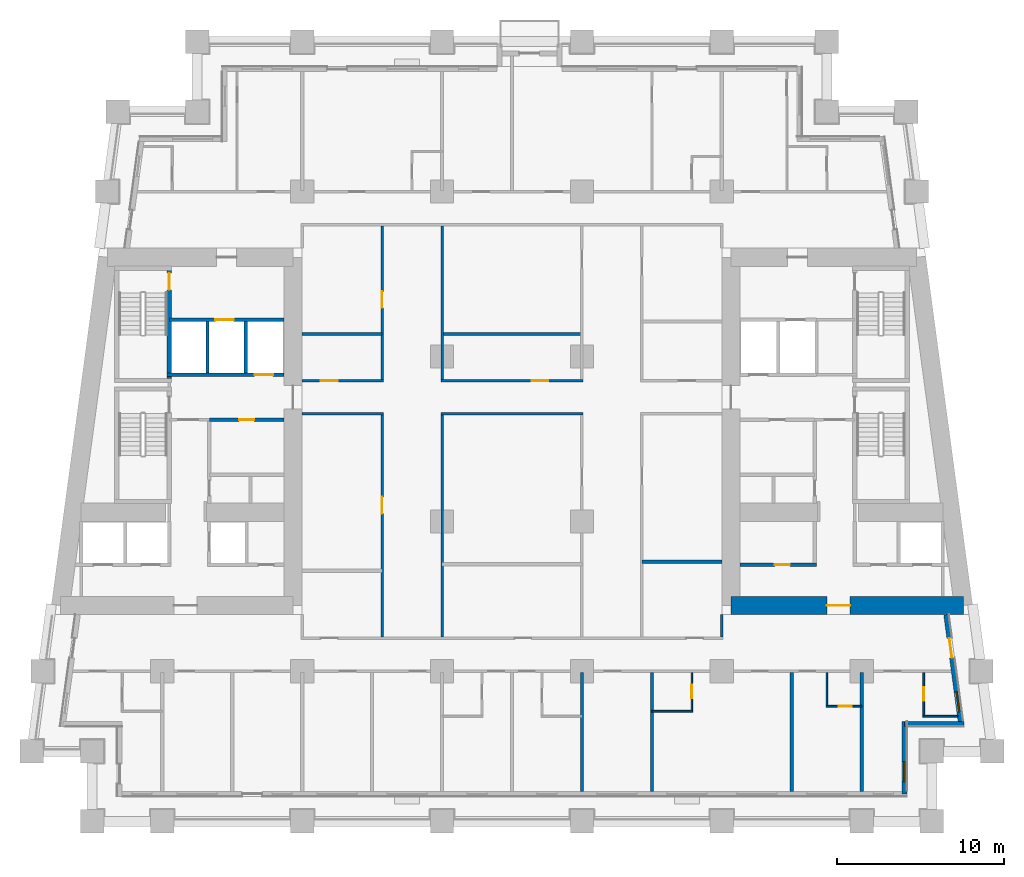
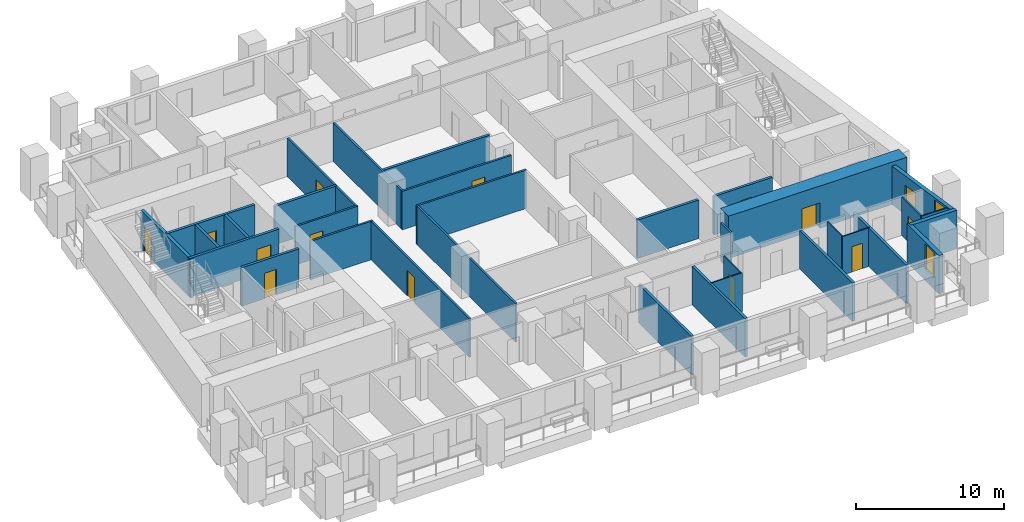
# One storey, part 4 of 12: 33 walls, 14 doors, 2 windows, 16 openings.
"""IFC4 building model written with IfcOpenShell, lengths in metres."""

import ifcopenshell
import ifcopenshell.guid

model = None  # the IFC model being written
_history = None  # IfcOwnerHistory: only IFC2X3 demands one
_inside = {}  # id of a spatial element -> (the spatial element, [elements in it])
_under = {}  # id of a project, library or spatial element -> (it, [spatial elements below it])
_declared = {}  # id of a project -> (the project, [libraries it declares])
_typed = {}  # id of a type object -> (the type object, [elements of that type])
_made_of = {}  # id of a material, layer set ... -> (it, [elements and type objects made of it])


def new_model(schema):
    """Start an empty IFC model of exactly this schema.

    Asked for "IFC4X3", IfcOpenShell would pick the latest addendum, in which some entities
    have other attributes; the version numbers below select the first issue.
    IFC2X3 requires an IfcOwnerHistory on every rooted entity: one is made here for all.
    """
    global model, _history
    if schema == "IFC4X3":
        model = ifcopenshell.file(schema_version=(4, 3, 0, 0))
    else:
        model = ifcopenshell.file(schema=schema)
    _inside.clear()
    _under.clear()
    _declared.clear()
    _typed.clear()
    _made_of.clear()
    _history = None
    if model.schema == "IFC2X3":
        org = make("IfcOrganization", Name="unknown")
        user = make(
            "IfcPersonAndOrganization",
            ThePerson=make("IfcPerson", FamilyName="unknown"),
            TheOrganization=org,
        )
        app = make(
            "IfcApplication",
            ApplicationDeveloper=org,
            Version="unknown",
            ApplicationFullName="unknown",
            ApplicationIdentifier="unknown",
        )
        _history = make(
            "IfcOwnerHistory",
            OwningUser=user,
            OwningApplication=app,
            ChangeAction="ADDED",
            CreationDate=0,
        )
    return model


def make(cls, **values):
    """One entity of the class cls with the attributes given. An attribute that is None is left unset."""
    return model.create_entity(
        cls, **{name: value for name, value in values.items() if value is not None}
    )


def rooted(cls, **values):
    """An entity with a GlobalId (a new one), such as an element, a storey or a relation."""
    return make(cls, GlobalId=ifcopenshell.guid.new(), OwnerHistory=_history, **values)


def si_unit(unit_type, name, prefix=None):
    """IfcSIUnit, for example si_unit("LENGTHUNIT", "METRE", prefix="MILLI")."""
    return make("IfcSIUnit", UnitType=unit_type, Prefix=prefix, Name=name)


def assignment(units):
    """IfcUnitAssignment: the units of a project."""
    return None if units is None else make("IfcUnitAssignment", Units=units)


def point(xyz):
    """IfcCartesianPoint."""
    return None if xyz is None else make("IfcCartesianPoint", Coordinates=xyz)


def direction(xyz):
    """IfcDirection."""
    return None if xyz is None else make("IfcDirection", DirectionRatios=xyz)


def frame(location, z_axis=None, x_axis=None):
    """IfcAxis2Placement3D, a coordinate frame: its origin and axes. An axis left out is left unset."""
    return make(
        "IfcAxis2Placement3D",
        Location=point(location),
        Axis=direction(z_axis),
        RefDirection=direction(x_axis),
    )


def frame_2d(location, x_axis=None):
    """IfcAxis2Placement2D, a coordinate frame in the plane: its origin and x axis."""
    return make(
        "IfcAxis2Placement2D", Location=point(location), RefDirection=direction(x_axis)
    )


def origin():
    """The frame at (0, 0, 0) with its axes left unset."""
    return frame((0.0, 0.0, 0.0))


def place(relative_to, where):
    """IfcLocalPlacement: puts the frame where relative to a parent placement (None: the world)."""
    return make(
        "IfcLocalPlacement", PlacementRelTo=relative_to, RelativePlacement=where
    )


def context(
    kind, dimensions, precision=None, world=None, true_north=None, identifier=None
):
    """IfcGeometricRepresentationContext, for example the 3D "Model" context."""
    return make(
        "IfcGeometricRepresentationContext",
        ContextIdentifier=identifier,
        ContextType=kind,
        CoordinateSpaceDimension=dimensions,
        Precision=precision,
        WorldCoordinateSystem=world,
        TrueNorth=true_north,
    )


def subcontext(parent, identifier, kind, view, scale=None):
    """IfcGeometricRepresentationSubContext, for example "Body" below "Model"."""
    return make(
        "IfcGeometricRepresentationSubContext",
        ContextIdentifier=identifier,
        ContextType=kind,
        ParentContext=parent,
        TargetScale=scale,
        TargetView=view,
    )


def project(units=None, contexts=None):
    """IfcProject with its units and contexts."""
    return rooted(
        "IfcProject",
        Name="project",
        RepresentationContexts=contexts,
        UnitsInContext=assignment(units),
    )


def spatial(cls, under=None, at=None, **own):
    """A site, building, storey or space (cls), placed at a placement, below another one or the project."""
    s = rooted(cls, ObjectPlacement=at, **own)
    if under is not None:
        _under.setdefault(under.id(), (under, []))[1].append(s)
    return s


def profile(cls, at=None, kind="AREA", **sizes):
    """A parametric profile (cls). Its sizes go by their IFC names, for example OverallWidth=200.0."""
    return make(cls, ProfileType=kind, Position=at, **sizes)


def rectangle(**sizes):
    """IfcRectangleProfileDef."""
    return profile("IfcRectangleProfileDef", **sizes)


def extrude(swept, where, along, depth):
    """IfcExtrudedAreaSolid: the profile swept, set in the frame where, extruded along a direction by depth."""
    return make(
        "IfcExtrudedAreaSolid",
        SweptArea=swept,
        Position=where,
        ExtrudedDirection=direction(along),
        Depth=depth,
    )


def shape(context_of_items, identifier, shape_type, items):
    """IfcShapeRepresentation: the items that make up one representation, for example the "Body"."""
    return make(
        "IfcShapeRepresentation",
        ContextOfItems=context_of_items,
        RepresentationIdentifier=identifier,
        RepresentationType=shape_type,
        Items=items,
    )


def material(Name=None, Category=None):
    """IfcMaterial."""
    return make("IfcMaterial", Name=Name, Category=Category)


def layer(
    of_material, thickness, ventilated=None, Name=None, Category=None, Priority=None
):
    """IfcMaterialLayer: one layer of a wall or slab, of a material (None: an air gap)."""
    return make(
        "IfcMaterialLayer",
        Material=of_material,
        LayerThickness=thickness,
        IsVentilated=ventilated,
        Name=Name,
        Category=Category,
        Priority=Priority,
    )


def layer_set(layers, Name=None):
    """IfcMaterialLayerSet."""
    return make("IfcMaterialLayerSet", MaterialLayers=layers, LayerSetName=Name)


def made_of(thing, what):
    """Note that an element or type object is made of a material, layer set ...; save() writes the relation."""
    if what is not None:
        _made_of.setdefault(what.id(), (what, []))[1].append(thing)
    return thing


def type_object(cls, material=None, **own):
    """A type object (cls), such as IfcWallType, which elements share."""
    return made_of(rooted(cls, **own), material)


def element(
    cls,
    number,
    at=None,
    inside=None,
    cuts=None,
    type_object=None,
    material=None,
    context=None,
    identifier="Body",
    shape_type=None,
    held_by="IfcProductDefinitionShape",
    body=None,
    shapes=None,
    **own,
):
    """One element of the class cls, such as IfcWall. Its Tag is "e" and its number.

    at: its placement. inside: the storey or other place that contains it. cuts: it is an
    opening in that element (IfcRelVoidsElement). A single representation is given by context,
    identifier, shape_type and body (its items); several are given by shapes. held_by: the class
    of the entity that holds the representations. save() writes the other relations.
    """
    e = rooted(cls, Tag="e%d" % number, ObjectPlacement=at, **own)
    if body is not None:
        shapes = [shape(context, identifier, shape_type, body)]
    if shapes is not None:
        e.Representation = make(held_by, Representations=shapes)
    if inside is not None:
        _inside.setdefault(inside.id(), (inside, []))[1].append(e)
    if cuts is not None:
        rooted(
            "IfcRelVoidsElement", RelatingBuildingElement=cuts, RelatedOpeningElement=e
        )
    if type_object is not None:
        _typed.setdefault(type_object.id(), (type_object, []))[1].append(e)
    return made_of(e, material)


def fill(opening, filler):
    """IfcRelFillsElement: the door or window that sits in an opening."""
    return rooted(
        "IfcRelFillsElement",
        RelatingOpeningElement=opening,
        RelatedBuildingElement=filler,
    )


def aggregate(whole, parts):
    """IfcRelAggregates: a whole, such as a stair, and the parts it consists of."""
    return rooted("IfcRelAggregates", RelatingObject=whole, RelatedObjects=parts)


def save(model, path):
    """Write the relations noted so far, then the file.

    IfcRelAggregates (storeys below a building ...), IfcRelContainedInSpatialStructure (elements
    in a storey), IfcRelDefinesByType, IfcRelAssociatesMaterial and IfcRelDeclares: one each for
    every whole, place, type object, material and project.
    """
    for whole, parts in _under.values():
        aggregate(whole, parts)
    for where, things in _inside.values():
        rooted(
            "IfcRelContainedInSpatialStructure",
            RelatedElements=things,
            RelatingStructure=where,
        )
    for kind, things in _typed.values():
        rooted("IfcRelDefinesByType", RelatedObjects=things, RelatingType=kind)
    for what, things in _made_of.values():
        rooted("IfcRelAssociatesMaterial", RelatedObjects=things, RelatingMaterial=what)
    for by, libraries in _declared.values():
        rooted("IfcRelDeclares", RelatingContext=by, RelatedDefinitions=libraries)
    model.write(path)


model = new_model("IFC4")

# Units and contexts
model_context = context("Model", 3, precision=1e-05, world=origin(), true_north=direction((0.0, 1.0)))
body_context = subcontext(model_context, "Body", "Model", "MODEL_VIEW")
ifc_project = project(units=[si_unit("LENGTHUNIT", "METRE"), si_unit("AREAUNIT", "SQUARE_METRE"), si_unit("VOLUMEUNIT", "CUBIC_METRE"), si_unit("PLANEANGLEUNIT", "RADIAN"), si_unit("MASSUNIT", "GRAM", prefix="KILO")], contexts=[model_context])

# Site, building, storey
site_placement = place(None, origin())
site = spatial("IfcSite", under=ifc_project, at=site_placement, CompositionType="ELEMENT")
building_placement = place(site_placement, origin())
building = spatial("IfcBuilding", under=site, at=building_placement, Name="Candeia Pilgrim Tower and Theatre", CompositionType="ELEMENT")
storey_placement = place(building_placement, frame((0.0, 0.0, 42.5)))
storey = spatial("IfcBuildingStorey", under=building, at=storey_placement, Name="L07", CompositionType="ELEMENT", Elevation=42.5)

# Wall, opening, door
ifc_material_1 = material(Name="Concrete C80/95", Category="concrete")
ifc_layer_1 = layer(ifc_material_1, 1.10009765625)
ifc_layer_set_1 = layer_set([ifc_layer_1], Name="Core wall 1100 C80/95")
wall_type_1 = type_object("IfcWallType", Name="Core wall 1100 C80/95", PredefinedType="SHEAR", material=ifc_layer_set_1)
wall_1_placement = place(storey_placement, frame((140.501708984375, 110.949951171875, 0.0), z_axis=(0.0, 0.0, 1.0), x_axis=(-1.0, 0.0, 0.0)))
wall_1 = element("IfcWall", 1, at=wall_1_placement, inside=storey, type_object=wall_type_1, Name="Core wall E3", PredefinedType="SHEAR", context=body_context, shape_type="SweptSolid", body=[
    extrude(rectangle(XDim=13.95166015625, YDim=1.10009765625, at=frame_2d((6.975830078125, 0.0))), origin(), (0.0, 0.0, 1.0), 3.5),
])
opening_1_placement = place(wall_1_placement, frame((6.80419921875, 0.0, 0.0)))
opening_1 = element("IfcOpeningElement", 2, at=opening_1_placement, cuts=wall_1, Name="Opening L07-D058", PredefinedType="OPENING", context=body_context, shape_type="SweptSolid", body=[
    extrude(rectangle(XDim=1.39990234375, YDim=2.10009765625, at=frame_2d((0.699951171875, 1.050048828125))), frame((0.0, 0.56005859375, 0.0), z_axis=(0.0, -1.0, 0.0), x_axis=(1.0, 0.0, 0.0)), (0.0, 0.0, 1.0), 1.1201171875),
])
ifc_material_2 = material(Name="Steel fire door set", Category="steel")
door_type_1 = type_object("IfcDoorType", Name="D-1400-FD60", OperationType="NOTDEFINED", PredefinedType="DOOR", material=ifc_material_2)
door_1_placement = place(opening_1_placement, origin())
door_1 = element("IfcDoor", 3, at=door_1_placement, inside=storey, type_object=door_type_1, Name="Door L07-D058", OperationType="SINGLE_SWING_LEFT", OverallHeight=2.10009765625, OverallWidth=1.39990234375, PredefinedType="DOOR", context=body_context, shape_type="SweptSolid", body=[
    extrude(rectangle(XDim=1.39990234375, YDim=2.10009765625, at=frame_2d((0.699951171875, 1.050048828125))), frame((0.0, 0.02490234375, 0.0), z_axis=(0.0, -1.0, 0.0), x_axis=(1.0, 0.0, 0.0)), (0.0, 0.0, 1.0), 0.050048828125),
])
fill(opening_1, door_1)

# Wall, opening, window
ifc_material_3 = material(Name="Ceramic block masonry", Category="masonry")
ifc_layer_2 = layer(ifc_material_3, 0.300048828125)
ifc_layer_set_2 = layer_set([ifc_layer_2], Name="EW1 glazing-line wall 300")
wall_type_2 = type_object("IfcWallType", Name="EW1 glazing-line wall 300", PredefinedType="SOLIDWALL", material=ifc_layer_set_2)
wall_2_placement = place(storey_placement, frame((136.949951171875, 99.64990234375, 0.0), z_axis=(0.0, 0.0, 1.0), x_axis=(0.0, 1.0, 0.0)))
wall_2 = element("IfcWall", 4, at=wall_2_placement, inside=storey, type_object=wall_type_2, Name="External wall L07-1.0", PredefinedType="SOLIDWALL", context=body_context, shape_type="SweptSolid", body=[
    extrude(rectangle(XDim=4.35009765625, YDim=0.300048828125, at=frame_2d((2.175048828125, 0.0))), origin(), (0.0, 0.0, 1.0), 3.179931640625),
])
opening_2_placement = place(wall_2_placement, frame((0.72509765625, 0.0, 0.89990234375)))
opening_2 = element("IfcOpeningElement", 5, at=opening_2_placement, cuts=wall_2, Name="Opening W-B", PredefinedType="OPENING", context=body_context, shape_type="SweptSolid", body=[
    extrude(rectangle(XDim=1.199951171875, YDim=2.10009765625, at=frame_2d((0.60009765625, 1.050048828125))), frame((0.0, 0.16015625, 0.0), z_axis=(0.0, -1.0, 0.0), x_axis=(1.0, 0.0, 0.0)), (0.0, 0.0, 1.0), 0.320068359375),
])
ifc_material_4 = material(Name="Aluminium framed double glazing", Category="aluminium")
window_type = type_object("IfcWindowType", Name="W-B window 1200x2100", PartitioningType="SINGLE_PANEL", PredefinedType="WINDOW", material=ifc_material_4)
window_1_placement = place(opening_2_placement, origin())
window_1 = element("IfcWindow", 6, at=window_1_placement, inside=storey, type_object=window_type, Name="Window W-B L07", OverallHeight=2.10009765625, OverallWidth=1.199951171875, PartitioningType="SINGLE_PANEL", PredefinedType="WINDOW", context=body_context, shape_type="SweptSolid", body=[
    extrude(rectangle(XDim=1.199951171875, YDim=2.10009765625, at=frame_2d((0.60009765625, 1.050048828125))), frame((0.0, 0.030029296875, 0.0), z_axis=(0.0, -1.0, 0.0), x_axis=(1.0, 0.0, 0.0)), (0.0, 0.0, 1.0), 0.06005859375),
])
fill(opening_2, window_1)

# Wall
wall_3_placement = place(storey_placement, frame((136.949951171875, 103.85009765625, 0.0), z_axis=(0.0, 0.0, 1.0), x_axis=(1.0, 0.0, 0.0)))
element("IfcWall", 7, at=wall_3_placement, inside=storey, type_object=wall_type_2, Name="External wall L07-2.0", PredefinedType="SOLIDWALL", context=body_context, shape_type="SweptSolid", body=[
    extrude(rectangle(XDim=3.569091796875, YDim=0.300048828125, at=frame_2d((1.78466796875, 0.0))), origin(), (0.0, 0.0, 1.0), 3.179931640625),
])

# Wall, openings, door, window
wall_4_placement = place(storey_placement, frame((140.34765625, 103.85009765625, 0.0), z_axis=(0.0, 0.0, 1.0), x_axis=(-0.133431549479, 0.991058031401, 0.0)))
wall_4 = element("IfcWall", 8, at=wall_4_placement, inside=storey, type_object=wall_type_2, Name="External wall L07-3.0", PredefinedType="SOLIDWALL", context=body_context, shape_type="SweptSolid", body=[
    extrude(rectangle(XDim=6.60888671875, YDim=0.300048828125, at=frame_2d((3.304443359375, 0.0))), origin(), (0.0, 0.0, 1.0), 3.179931640625),
])
opening_3_placement = place(wall_4_placement, frame((0.736572265625, 0.0, 0.89990234375)))
opening_3 = element("IfcOpeningElement", 9, at=opening_3_placement, cuts=wall_4, Name="Opening W-B", PredefinedType="OPENING", context=body_context, shape_type="SweptSolid", body=[
    extrude(rectangle(XDim=1.199951171875, YDim=2.10009765625, at=frame_2d((0.60009765625, 1.050048828125))), frame((0.0, 0.16015625, 0.0), z_axis=(0.0, -1.0, 0.0), x_axis=(1.0, 0.0, 0.0)), (0.0, 0.0, 1.0), 0.320068359375),
])
opening_4_placement = place(wall_4_placement, frame((3.990966796875, 0.0, 0.0)))
opening_4 = element("IfcOpeningElement", 10, at=opening_4_placement, cuts=wall_4, Name="Opening L07-ED093", PredefinedType="OPENING", context=body_context, shape_type="SweptSolid", body=[
    extrude(rectangle(XDim=1.199951171875, YDim=2.39990234375, at=frame_2d((0.60009765625, 1.199951171875))), frame((0.0, 0.16015625, 0.0), z_axis=(0.0, -1.0, 0.0), x_axis=(1.0, 0.0, 0.0)), (0.0, 0.0, 1.0), 0.320068359375),
])
ifc_material_5 = material(Name="Aluminium framed glazed door", Category="aluminium")
door_type_2 = type_object("IfcDoorType", Name="Loggia door 1200x2400", OperationType="DOUBLE_DOOR_SINGLE_SWING", PredefinedType="DOOR", material=ifc_material_5)
door_2_placement = place(opening_4_placement, origin())
door_2 = element("IfcDoor", 11, at=door_2_placement, inside=storey, type_object=door_type_2, Name="Loggia door L07-ED093", OperationType="DOUBLE_DOOR_SINGLE_SWING", OverallHeight=2.39990234375, OverallWidth=1.199951171875, PredefinedType="DOOR", context=body_context, shape_type="SweptSolid", body=[
    extrude(rectangle(XDim=1.199951171875, YDim=2.39990234375, at=frame_2d((0.60009765625, 1.199951171875))), frame((0.0, 0.02490234375, 0.0), z_axis=(0.0, -1.0, 0.0), x_axis=(1.0, 0.0, 0.0)), (0.0, 0.0, 1.0), 0.050048828125),
])
fill(opening_4, door_2)
window_2_placement = place(opening_3_placement, origin())
window_2 = element("IfcWindow", 12, at=window_2_placement, inside=storey, type_object=window_type, Name="Window W-B L07", OverallHeight=2.10009765625, OverallWidth=1.199951171875, PartitioningType="SINGLE_PANEL", PredefinedType="WINDOW", context=body_context, shape_type="SweptSolid", body=[
    extrude(rectangle(XDim=1.199951171875, YDim=2.10009765625, at=frame_2d((0.60009765625, 1.050048828125))), frame((0.0, 0.030029296875, 0.0), z_axis=(0.0, -1.0, 0.0), x_axis=(1.0, 0.0, 0.0)), (0.0, 0.0, 1.0), 0.06005859375),
])
fill(opening_3, window_2)

# Walls
ifc_material_6 = material(Name="Gypsum board partition on steel studs", Category="steel")
ifc_layer_3 = layer(ifc_material_6, 0.10009765625)
ifc_layer_set_3 = layer_set([ifc_layer_3], Name="PW-100 room partition")
wall_type_3 = type_object("IfcWallType", Name="PW-100 room partition", PredefinedType="PARTITIONING", material=ifc_layer_set_3)
wall_5_placement = place(storey_placement, frame((138.070068359375, 104.300048828125, 0.0), z_axis=(0.0, 0.0, 1.0), x_axis=(1.0, 0.0, 0.0)))
element("IfcWall", 13, at=wall_5_placement, inside=storey, type_object=wall_type_3, Name="Room partition L07-003", PredefinedType="PARTITIONING", context=body_context, shape_type="SweptSolid", body=[
    extrude(rectangle(XDim=2.07568359375, YDim=0.10009765625, at=frame_2d((1.037841796875, 0.0))), origin(), (0.0, 0.0, 1.0), 3.179931640625),
])
wall_6_placement = place(storey_placement, frame((121.800048828125, 104.60009765625, 0.0), z_axis=(0.0, 0.0, 1.0), x_axis=(1.0, 0.0, 0.0)))
element("IfcWall", 14, at=wall_6_placement, inside=storey, type_object=wall_type_3, Name="Room partition L07-005", PredefinedType="PARTITIONING", context=body_context, shape_type="SweptSolid", body=[
    extrude(rectangle(XDim=2.449951171875, YDim=0.10009765625, at=frame_2d((1.22509765625, 0.0))), origin(), (0.0, 0.0, 1.0), 3.179931640625),
])

# Wall, opening, door
wall_7_placement = place(storey_placement, frame((132.25, 104.89990234375, 0.0), z_axis=(0.0, 0.0, 1.0), x_axis=(1.0, 0.0, 0.0)))
wall_7 = element("IfcWall", 15, at=wall_7_placement, inside=storey, type_object=wall_type_3, Name="Room partition L07-006", PredefinedType="PARTITIONING", context=body_context, shape_type="SweptSolid", body=[
    extrude(rectangle(XDim=2.14990234375, YDim=0.10009765625, at=frame_2d((1.074951171875, 0.0))), origin(), (0.0, 0.0, 1.0), 3.179931640625),
])
opening_5_placement = place(wall_7_placement, frame((0.760009765625, 0.0, 0.0)))
opening_5 = element("IfcOpeningElement", 16, at=opening_5_placement, cuts=wall_7, Name="Opening L07-D028", PredefinedType="OPENING", context=body_context, shape_type="SweptSolid", body=[
    extrude(rectangle(XDim=0.800048828125, YDim=2.10009765625, at=frame_2d((0.39990234375, 1.050048828125))), frame((0.0, 0.06005859375, 0.0), z_axis=(0.0, -1.0, 0.0), x_axis=(1.0, 0.0, 0.0)), (0.0, 0.0, 1.0), 0.1201171875),
])
ifc_material_7 = material(Name="Timber door leaf", Category="wood")
door_type_3 = type_object("IfcDoorType", Name="D-800", OperationType="NOTDEFINED", PredefinedType="DOOR", material=ifc_material_7)
door_3_placement = place(opening_5_placement, origin())
door_3 = element("IfcDoor", 17, at=door_3_placement, inside=storey, type_object=door_type_3, Name="Door L07-D028", OperationType="SINGLE_SWING_LEFT", OverallHeight=2.10009765625, OverallWidth=0.800048828125, PredefinedType="DOOR", context=body_context, shape_type="SweptSolid", body=[
    extrude(rectangle(XDim=0.800048828125, YDim=2.10009765625, at=frame_2d((0.39990234375, 1.050048828125))), frame((0.0, 0.02490234375, 0.0), z_axis=(0.0, -1.0, 0.0), x_axis=(1.0, 0.0, 0.0)), (0.0, 0.0, 1.0), 0.050048828125),
])
fill(opening_5, door_3)

wall_8_placement = place(storey_placement, frame((124.199951171875, 104.64990234375, 0.0), z_axis=(0.0, 0.0, 1.0), x_axis=(0.0, 1.0, 0.0)))
wall_8 = element("IfcWall", 18, at=wall_8_placement, inside=storey, type_object=wall_type_3, Name="Room partition L07-096", PredefinedType="PARTITIONING", context=body_context, shape_type="SweptSolid", body=[
    extrude(rectangle(XDim=2.275146484375, YDim=0.10009765625, at=frame_2d((1.1376953125, 0.0))), origin(), (0.0, 0.0, 1.0), 3.179931640625),
])
opening_6_placement = place(wall_8_placement, frame((0.75, 0.0, 0.0)))
opening_6 = element("IfcOpeningElement", 19, at=opening_6_placement, cuts=wall_8, Name="Opening L07-D026", PredefinedType="OPENING", context=body_context, shape_type="SweptSolid", body=[
    extrude(rectangle(XDim=0.800048828125, YDim=2.10009765625, at=frame_2d((0.39990234375, 1.050048828125))), frame((0.0, 0.06005859375, 0.0), z_axis=(0.0, -1.0, 0.0), x_axis=(1.0, 0.0, 0.0)), (0.0, 0.0, 1.0), 0.1201171875),
])
door_4_placement = place(opening_6_placement, origin())
door_4 = element("IfcDoor", 20, at=door_4_placement, inside=storey, type_object=door_type_3, Name="Door L07-D026", OperationType="SINGLE_SWING_LEFT", OverallHeight=2.10009765625, OverallWidth=0.800048828125, PredefinedType="DOOR", context=body_context, shape_type="SweptSolid", body=[
    extrude(rectangle(XDim=0.800048828125, YDim=2.10009765625, at=frame_2d((0.39990234375, 1.050048828125))), frame((0.0, 0.02490234375, 0.0), z_axis=(0.0, -1.0, 0.0), x_axis=(1.0, 0.0, 0.0)), (0.0, 0.0, 1.0), 0.050048828125),
])
fill(opening_6, door_4)

# Wall
wall_9_placement = place(storey_placement, frame((132.300048828125, 104.949951171875, 0.0), z_axis=(0.0, 0.0, 1.0), x_axis=(0.0, 1.0, 0.0)))
element("IfcWall", 21, at=wall_9_placement, inside=storey, type_object=wall_type_3, Name="Room partition L07-109", PredefinedType="PARTITIONING", context=body_context, shape_type="SweptSolid", body=[
    extrude(rectangle(XDim=1.97509765625, YDim=0.10009765625, at=frame_2d((0.987548828125, 0.0))), origin(), (0.0, 0.0, 1.0), 3.179931640625),
])

# Wall, opening, door
wall_10_placement = place(storey_placement, frame((138.1201171875, 104.35009765625, 0.0), z_axis=(0.0, 0.0, 1.0), x_axis=(0.0, 1.0, 0.0)))
wall_10 = element("IfcWall", 22, at=wall_10_placement, inside=storey, type_object=wall_type_3, Name="Room partition L07-120", PredefinedType="PARTITIONING", context=body_context, shape_type="SweptSolid", body=[
    extrude(rectangle(XDim=2.574951171875, YDim=0.10009765625, at=frame_2d((1.28759765625, 0.0))), origin(), (0.0, 0.0, 1.0), 3.179931640625),
])
opening_7_placement = place(wall_10_placement, frame((0.89990234375, 0.0, 0.0)))
opening_7 = element("IfcOpeningElement", 23, at=opening_7_placement, cuts=wall_10, Name="Opening L07-D030", PredefinedType="OPENING", context=body_context, shape_type="SweptSolid", body=[
    extrude(rectangle(XDim=0.800048828125, YDim=2.10009765625, at=frame_2d((0.39990234375, 1.050048828125))), frame((0.0, 0.06005859375, 0.0), z_axis=(0.0, -1.0, 0.0), x_axis=(1.0, 0.0, 0.0)), (0.0, 0.0, 1.0), 0.1201171875),
])
door_5_placement = place(opening_7_placement, origin())
door_5 = element("IfcDoor", 24, at=door_5_placement, inside=storey, type_object=door_type_3, Name="Door L07-D030", OperationType="SINGLE_SWING_LEFT", OverallHeight=2.10009765625, OverallWidth=0.800048828125, PredefinedType="DOOR", context=body_context, shape_type="SweptSolid", body=[
    extrude(rectangle(XDim=0.800048828125, YDim=2.10009765625, at=frame_2d((0.39990234375, 1.050048828125))), frame((0.0, 0.02490234375, 0.0), z_axis=(0.0, -1.0, 0.0), x_axis=(1.0, 0.0, 0.0)), (0.0, 0.0, 1.0), 0.050048828125),
])
fill(opening_7, door_5)

# Walls
ifc_layer_4 = layer(ifc_material_6, 0.14990234375)
ifc_layer_set_4 = layer_set([ifc_layer_4], Name="PW-150 unit wall")
wall_type_4 = type_object("IfcWallType", Name="PW-150 unit wall", PredefinedType="PARTITIONING", material=ifc_layer_set_4)
wall_11_placement = place(storey_placement, frame((100.800048828125, 122.449951171875, 0.0), z_axis=(0.0, 0.0, 1.0), x_axis=(1.0, 0.0, 0.0)))
element("IfcWall", 25, at=wall_11_placement, inside=storey, type_object=wall_type_4, Name="Unit wall L07-024", PredefinedType="PARTITIONING", context=body_context, shape_type="SweptSolid", body=[
    extrude(rectangle(XDim=4.875, YDim=0.14990234375, at=frame_2d((2.4375, 0.0))), origin(), (0.0, 0.0, 1.0), 3.179931640625),
])
wall_12_placement = place(storey_placement, frame((109.125, 122.449951171875, 0.0), z_axis=(0.0, 0.0, 1.0), x_axis=(1.0, 0.0, 0.0)))
element("IfcWall", 26, at=wall_12_placement, inside=storey, type_object=wall_type_4, Name="Unit wall L07-025", PredefinedType="PARTITIONING", context=body_context, shape_type="SweptSolid", body=[
    extrude(rectangle(XDim=8.550048828125, YDim=0.14990234375, at=frame_2d((4.27490234375, 0.0))), origin(), (0.0, 0.0, 1.0), 3.179931640625),
])

# Wall, opening, door
wall_13_placement = place(storey_placement, frame((100.800048828125, 124.449951171875, 0.0), z_axis=(0.0, 0.0, 1.0), x_axis=(1.0, 0.0, 0.0)))
wall_13 = element("IfcWall", 27, at=wall_13_placement, inside=storey, type_object=wall_type_4, Name="Unit wall L07-031", PredefinedType="PARTITIONING", context=body_context, shape_type="SweptSolid", body=[
    extrude(rectangle(XDim=4.875, YDim=0.14990234375, at=frame_2d((2.4375, 0.0))), origin(), (0.0, 0.0, 1.0), 3.179931640625),
])
opening_8_placement = place(wall_13_placement, frame((1.125, 0.0, 0.0)))
opening_8 = element("IfcOpeningElement", 28, at=opening_8_placement, cuts=wall_13, Name="Opening L07-D045", PredefinedType="OPENING", context=body_context, shape_type="SweptSolid", body=[
    extrude(rectangle(XDim=1.0, YDim=2.10009765625, at=frame_2d((0.5, 1.050048828125))), frame((0.0, 0.0849609375, 0.0), z_axis=(0.0, -1.0, 0.0), x_axis=(1.0, 0.0, 0.0)), (0.0, 0.0, 1.0), 0.169921875),
])
door_type_4 = type_object("IfcDoorType", Name="D-1000-FD30S", OperationType="NOTDEFINED", PredefinedType="DOOR", material=ifc_material_2)
door_6_placement = place(opening_8_placement, origin())
door_6 = element("IfcDoor", 29, at=door_6_placement, inside=storey, type_object=door_type_4, Name="Door L07-D045", OperationType="SINGLE_SWING_RIGHT", OverallHeight=2.10009765625, OverallWidth=1.0, PredefinedType="DOOR", context=body_context, shape_type="SweptSolid", body=[
    extrude(rectangle(XDim=1.0, YDim=2.10009765625, at=frame_2d((0.5, 1.050048828125))), frame((0.0, 0.02490234375, 0.0), z_axis=(0.0, -1.0, 0.0), x_axis=(1.0, 0.0, 0.0)), (0.0, 0.0, 1.0), 0.050048828125),
])
fill(opening_8, door_6)

wall_14_placement = place(storey_placement, frame((109.125, 124.449951171875, 0.0), z_axis=(0.0, 0.0, 1.0), x_axis=(1.0, 0.0, 0.0)))
wall_14 = element("IfcWall", 30, at=wall_14_placement, inside=storey, type_object=wall_type_4, Name="Unit wall L07-032", PredefinedType="PARTITIONING", context=body_context, shape_type="SweptSolid", body=[
    extrude(rectangle(XDim=8.550048828125, YDim=0.14990234375, at=frame_2d((4.27490234375, 0.0))), origin(), (0.0, 0.0, 1.0), 3.179931640625),
])
opening_9_placement = place(wall_14_placement, frame((5.449951171875, 0.0, 0.0)))
opening_9 = element("IfcOpeningElement", 31, at=opening_9_placement, cuts=wall_14, Name="Opening L07-D049", PredefinedType="OPENING", context=body_context, shape_type="SweptSolid", body=[
    extrude(rectangle(XDim=1.0, YDim=2.10009765625, at=frame_2d((0.5, 1.050048828125))), frame((0.0, 0.0849609375, 0.0), z_axis=(0.0, -1.0, 0.0), x_axis=(1.0, 0.0, 0.0)), (0.0, 0.0, 1.0), 0.169921875),
])
door_7_placement = place(opening_9_placement, origin())
door_7 = element("IfcDoor", 32, at=door_7_placement, inside=storey, type_object=door_type_4, Name="Door L07-D049", OperationType="SINGLE_SWING_RIGHT", OverallHeight=2.10009765625, OverallWidth=1.0, PredefinedType="DOOR", context=body_context, shape_type="SweptSolid", body=[
    extrude(rectangle(XDim=1.0, YDim=2.10009765625, at=frame_2d((0.5, 1.050048828125))), frame((0.0, 0.02490234375, 0.0), z_axis=(0.0, -1.0, 0.0), x_axis=(1.0, 0.0, 0.0)), (0.0, 0.0, 1.0), 0.050048828125),
])
fill(opening_9, door_7)

wall_15_placement = place(storey_placement, frame((105.60009765625, 109.074951171875, 0.0), z_axis=(0.0, 0.0, 1.0), x_axis=(0.0, 1.0, 0.0)))
wall_15 = element("IfcWall", 33, at=wall_15_placement, inside=storey, type_object=wall_type_4, Name="Unit wall L07-078", PredefinedType="PARTITIONING", context=body_context, shape_type="SweptSolid", body=[
    extrude(rectangle(XDim=13.300048828125, YDim=0.14990234375, at=frame_2d((6.64990234375, 0.0))), origin(), (0.0, 0.0, 1.0), 3.179931640625),
])
opening_10_placement = place(wall_15_placement, frame((7.39599609375, 0.0, 0.0)))
opening_10 = element("IfcOpeningElement", 34, at=opening_10_placement, cuts=wall_15, Name="Opening L07-D044", PredefinedType="OPENING", context=body_context, shape_type="SweptSolid", body=[
    extrude(rectangle(XDim=1.0, YDim=2.10009765625, at=frame_2d((0.5, 1.050048828125))), frame((0.0, 0.0849609375, 0.0), z_axis=(0.0, -1.0, 0.0), x_axis=(1.0, 0.0, 0.0)), (0.0, 0.0, 1.0), 0.169921875),
])
door_8_placement = place(opening_10_placement, origin())
door_8 = element("IfcDoor", 35, at=door_8_placement, inside=storey, type_object=door_type_4, Name="Door L07-D044", OperationType="SINGLE_SWING_LEFT", OverallHeight=2.10009765625, OverallWidth=1.0, PredefinedType="DOOR", context=body_context, shape_type="SweptSolid", body=[
    extrude(rectangle(XDim=1.0, YDim=2.10009765625, at=frame_2d((0.5, 1.050048828125))), frame((0.0, 0.02490234375, 0.0), z_axis=(0.0, -1.0, 0.0), x_axis=(1.0, 0.0, 0.0)), (0.0, 0.0, 1.0), 0.050048828125),
])
fill(opening_10, door_8)

wall_16_placement = place(storey_placement, frame((105.60009765625, 124.52490234375, 0.0), z_axis=(0.0, 0.0, 1.0), x_axis=(0.0, 1.0, 0.0)))
wall_16 = element("IfcWall", 36, at=wall_16_placement, inside=storey, type_object=wall_type_4, Name="Unit wall L07-079", PredefinedType="PARTITIONING", context=body_context, shape_type="SweptSolid", body=[
    extrude(rectangle(XDim=9.2001953125, YDim=0.14990234375, at=frame_2d((4.60009765625, 0.0))), origin(), (0.0, 0.0, 1.0), 3.179931640625),
])
opening_11_placement = place(wall_16_placement, frame((4.291015625, 0.0, 0.0)))
opening_11 = element("IfcOpeningElement", 37, at=opening_11_placement, cuts=wall_16, Name="Opening L07-D046", PredefinedType="OPENING", context=body_context, shape_type="SweptSolid", body=[
    extrude(rectangle(XDim=1.0, YDim=2.10009765625, at=frame_2d((0.5, 1.050048828125))), frame((0.0, 0.0849609375, 0.0), z_axis=(0.0, -1.0, 0.0), x_axis=(1.0, 0.0, 0.0)), (0.0, 0.0, 1.0), 0.169921875),
])
door_9_placement = place(opening_11_placement, origin())
door_9 = element("IfcDoor", 38, at=door_9_placement, inside=storey, type_object=door_type_4, Name="Door L07-D046", OperationType="SINGLE_SWING_LEFT", OverallHeight=2.10009765625, OverallWidth=1.0, PredefinedType="DOOR", context=body_context, shape_type="SweptSolid", body=[
    extrude(rectangle(XDim=1.0, YDim=2.10009765625, at=frame_2d((0.5, 1.050048828125))), frame((0.0, 0.02490234375, 0.0), z_axis=(0.0, -1.0, 0.0), x_axis=(1.0, 0.0, 0.0)), (0.0, 0.0, 1.0), 0.050048828125),
])
fill(opening_11, door_9)

# Walls
wall_17_placement = place(storey_placement, frame((109.199951171875, 109.074951171875, 0.0), z_axis=(0.0, 0.0, 1.0), x_axis=(0.0, 1.0, 0.0)))
element("IfcWall", 39, at=wall_17_placement, inside=storey, type_object=wall_type_4, Name="Unit wall L07-083", PredefinedType="PARTITIONING", context=body_context, shape_type="SweptSolid", body=[
    extrude(rectangle(XDim=13.300048828125, YDim=0.14990234375, at=frame_2d((6.64990234375, 0.0))), origin(), (0.0, 0.0, 1.0), 3.179931640625),
])
wall_18_placement = place(storey_placement, frame((109.199951171875, 124.52490234375, 0.0), z_axis=(0.0, 0.0, 1.0), x_axis=(0.0, 1.0, 0.0)))
element("IfcWall", 40, at=wall_18_placement, inside=storey, type_object=wall_type_4, Name="Unit wall L07-084", PredefinedType="PARTITIONING", context=body_context, shape_type="SweptSolid", body=[
    extrude(rectangle(XDim=9.2001953125, YDim=0.14990234375, at=frame_2d((4.60009765625, 0.0))), origin(), (0.0, 0.0, 1.0), 3.179931640625),
])
wall_19_placement = place(storey_placement, frame((126.0, 109.074951171875, 0.0), z_axis=(0.0, 0.0, 1.0), x_axis=(0.0, 1.0, 0.0)))
element("IfcWall", 41, at=wall_19_placement, inside=storey, type_object=wall_type_4, Name="Unit wall L07-099", PredefinedType="PARTITIONING", context=body_context, shape_type="SweptSolid", body=[
    extrude(rectangle(XDim=1.324951171875, YDim=0.14990234375, at=frame_2d((0.66259765625, 0.0))), origin(), (0.0, 0.0, 1.0), 3.179931640625),
])
ifc_layer_5 = layer(ifc_material_6, 0.199951171875)
ifc_layer_set_5 = layer_set([ifc_layer_5], Name="PW-200 party wall")
wall_type_5 = type_object("IfcWallType", Name="PW-200 party wall", PredefinedType="PARTITIONING", material=ifc_layer_set_5)
for number, where, z_axis, x_axis, name in (
    (42, (121.199951171875, 113.572998046875, 0.0), (0.0, 0.0, 1.0), (1.0, 0.0, 0.0), "Party wall L07-015"),
    (43, (100.800048828125, 127.2548828125, 0.0), (0.0, 0.0, 1.0), (1.0, 0.0, 0.0), "Party wall L07-037"),
):
    element("IfcWall", number, at=place(storey_placement, frame(where, z_axis=z_axis, x_axis=x_axis)), inside=storey, type_object=wall_type_5, Name=name, PredefinedType="PARTITIONING", context=body_context, shape_type="SweptSolid", body=[
        extrude(rectangle(XDim=4.800048828125, YDim=0.199951171875, at=frame_2d((2.39990234375, 0.0))), origin(), (0.0, 0.0, 1.0), 3.179931640625),
    ])
wall_20_placement = place(storey_placement, frame((109.199951171875, 127.2548828125, 0.0), z_axis=(0.0, 0.0, 1.0), x_axis=(1.0, 0.0, 0.0)))
element("IfcWall", 44, at=wall_20_placement, inside=storey, type_object=wall_type_5, Name="Party wall L07-038", PredefinedType="PARTITIONING", context=body_context, shape_type="SweptSolid", body=[
    extrude(rectangle(XDim=8.400146484375, YDim=0.199951171875, at=frame_2d((4.2001953125, 0.0))), origin(), (0.0, 0.0, 1.0), 3.179931640625),
])
for number, where, z_axis, x_axis, name in (
    (45, (117.60009765625, 99.7900390625, 0.0), (0.0, 0.0, 1.0), (0.0, 1.0, 0.0), "Party wall L07-089"),
    (46, (121.800048828125, 99.7900390625, 0.0), (0.0, 0.0, 1.0), (0.0, 1.0, 0.0), "Party wall L07-095"),
    (47, (130.199951171875, 99.7900390625, 0.0), (0.0, 0.0, 1.0), (0.0, 1.0, 0.0), "Party wall L07-104"),
    (48, (134.39990234375, 99.7900390625, 0.0), (0.0, 0.0, 1.0), (0.0, 1.0, 0.0), "Party wall L07-116"),
):
    element("IfcWall", number, at=place(storey_placement, frame(where, z_axis=z_axis, x_axis=x_axis)), inside=storey, type_object=wall_type_5, Name=name, PredefinedType="PARTITIONING", context=body_context, shape_type="SweptSolid", body=[
        extrude(rectangle(XDim=7.135009765625, YDim=0.199951171875, at=frame_2d((3.5673828125, 0.0))), origin(), (0.0, 0.0, 1.0), 3.179931640625),
    ])

# Wall, opening, door
ifc_material_8 = material(Name="Concrete C40/50", Category="concrete")
ifc_layer_6 = layer(ifc_material_8, 0.199951171875)
ifc_layer_set_6 = layer_set([ifc_layer_6], Name="SW-200 shaft wall")
wall_type_6 = type_object("IfcWallType", Name="SW-200 shaft wall", PredefinedType="PARTITIONING", material=ifc_layer_set_6)
wall_21_placement = place(storey_placement, frame((127.10009765625, 113.39990234375, 0.0), z_axis=(0.0, 0.0, 1.0), x_axis=(1.0, 0.0, 0.0)))
wall_21 = element("IfcWall", 49, at=wall_21_placement, inside=storey, type_object=wall_type_6, Name="Shaft wall L07-012", PredefinedType="PARTITIONING", context=body_context, shape_type="SweptSolid", body=[
    extrude(rectangle(XDim=4.572998046875, YDim=0.199951171875, at=frame_2d((2.28662109375, 0.0))), origin(), (0.0, 0.0, 1.0), 3.179931640625),
])
opening_12_placement = place(wall_21_placement, frame((2.073974609375, 0.0, 0.0)))
opening_12 = element("IfcOpeningElement", 50, at=opening_12_placement, cuts=wall_21, Name="Opening L07-D013", PredefinedType="OPENING", context=body_context, shape_type="SweptSolid", body=[
    extrude(rectangle(XDim=0.89990234375, YDim=2.10009765625, at=frame_2d((0.449951171875, 1.050048828125))), frame((0.0, 0.10986328125, 0.0), z_axis=(0.0, -1.0, 0.0), x_axis=(1.0, 0.0, 0.0)), (0.0, 0.0, 1.0), 0.219970703125),
])
door_type_5 = type_object("IfcDoorType", Name="D-900-FD60", OperationType="NOTDEFINED", PredefinedType="DOOR", material=ifc_material_2)
door_10_placement = place(opening_12_placement, origin())
door_10 = element("IfcDoor", 51, at=door_10_placement, inside=storey, type_object=door_type_5, Name="Door L07-D013", OperationType="SINGLE_SWING_RIGHT", OverallHeight=2.10009765625, OverallWidth=0.89990234375, PredefinedType="DOOR", context=body_context, shape_type="SweptSolid", body=[
    extrude(rectangle(XDim=0.89990234375, YDim=2.10009765625, at=frame_2d((0.449951171875, 1.050048828125))), frame((0.0, 0.02490234375, 0.0), z_axis=(0.0, -1.0, 0.0), x_axis=(1.0, 0.0, 0.0)), (0.0, 0.0, 1.0), 0.050048828125),
])
fill(opening_12, door_10)

wall_22_placement = place(storey_placement, frame((95.22705078125, 122.10009765625, 0.0), z_axis=(0.0, 0.0, 1.0), x_axis=(1.0, 0.0, 0.0)))
wall_22 = element("IfcWall", 52, at=wall_22_placement, inside=storey, type_object=wall_type_6, Name="Shaft wall L07-020", PredefinedType="PARTITIONING", context=body_context, shape_type="SweptSolid", body=[
    extrude(rectangle(XDim=4.472900390625, YDim=0.199951171875, at=frame_2d((2.236328125, 0.0))), origin(), (0.0, 0.0, 1.0), 3.179931640625),
])
opening_13_placement = place(wall_22_placement, frame((1.785888671875, 0.0, 0.0)))
opening_13 = element("IfcOpeningElement", 53, at=opening_13_placement, cuts=wall_22, Name="Opening L07-D002", PredefinedType="OPENING", context=body_context, shape_type="SweptSolid", body=[
    extrude(rectangle(XDim=0.89990234375, YDim=2.10009765625, at=frame_2d((0.449951171875, 1.050048828125))), frame((0.0, 0.10986328125, 0.0), z_axis=(0.0, -1.0, 0.0), x_axis=(1.0, 0.0, 0.0)), (0.0, 0.0, 1.0), 0.219970703125),
])
door_11_placement = place(opening_13_placement, origin())
door_11 = element("IfcDoor", 54, at=door_11_placement, inside=storey, type_object=door_type_5, Name="Door L07-D002", OperationType="SINGLE_SWING_LEFT", OverallHeight=2.10009765625, OverallWidth=0.89990234375, PredefinedType="DOOR", context=body_context, shape_type="SweptSolid", body=[
    extrude(rectangle(XDim=0.89990234375, YDim=2.10009765625, at=frame_2d((0.449951171875, 1.050048828125))), frame((0.0, 0.02490234375, 0.0), z_axis=(0.0, -1.0, 0.0), x_axis=(1.0, 0.0, 0.0)), (0.0, 0.0, 1.0), 0.050048828125),
])
fill(opening_13, door_11)

wall_23_placement = place(storey_placement, frame((92.701904296875, 124.800048828125, 0.0), z_axis=(0.0, 0.0, 1.0), x_axis=(1.0, 0.0, 0.0)))
wall_23 = element("IfcWall", 55, at=wall_23_placement, inside=storey, type_object=wall_type_6, Name="Shaft wall L07-034", PredefinedType="PARTITIONING", context=body_context, shape_type="SweptSolid", body=[
    extrude(rectangle(XDim=6.998046875, YDim=0.199951171875, at=frame_2d((3.4990234375, 0.0))), origin(), (0.0, 0.0, 1.0), 3.179931640625),
])
opening_14_placement = place(wall_23_placement, frame((5.2529296875, 0.0, 0.0)))
opening_14 = element("IfcOpeningElement", 56, at=opening_14_placement, cuts=wall_23, Name="Opening L07-LD02", PredefinedType="OPENING", context=body_context, shape_type="SweptSolid", body=[
    extrude(rectangle(XDim=1.10009765625, YDim=2.10009765625, at=frame_2d((0.550048828125, 1.050048828125))), frame((0.0, 0.10986328125, 0.0), z_axis=(0.0, -1.0, 0.0), x_axis=(1.0, 0.0, 0.0)), (0.0, 0.0, 1.0), 0.219970703125),
])
ifc_material_9 = material(Name="Glazed aluminium landing door", Category="aluminium")
door_type_6 = type_object("IfcDoorType", Name="LD-1100-EI120", OperationType="SLIDING_TO_LEFT", PredefinedType="DOOR", material=ifc_material_9)
door_12_placement = place(opening_14_placement, origin())
door_12 = element("IfcDoor", 57, at=door_12_placement, inside=storey, type_object=door_type_6, Name="Landing door 02 L07", OperationType="SLIDING_TO_LEFT", OverallHeight=2.10009765625, OverallWidth=1.10009765625, PredefinedType="DOOR", context=body_context, shape_type="SweptSolid", body=[
    extrude(rectangle(XDim=1.10009765625, YDim=2.10009765625, at=frame_2d((0.550048828125, 1.050048828125))), frame((0.0, 0.02490234375, 0.0), z_axis=(0.0, -1.0, 0.0), x_axis=(1.0, 0.0, 0.0)), (0.0, 0.0, 1.0), 0.050048828125),
])
fill(opening_14, door_12)

wall_24_placement = place(storey_placement, frame((92.826904296875, 128.10009765625, 0.0), z_axis=(0.0, 0.0, 1.0), x_axis=(1.0, 0.0, 0.0)))
wall_24 = element("IfcWall", 58, at=wall_24_placement, inside=storey, type_object=wall_type_6, Name="Shaft wall L07-040", PredefinedType="PARTITIONING", context=body_context, shape_type="SweptSolid", body=[
    extrude(rectangle(XDim=6.873046875, YDim=0.199951171875, at=frame_2d((3.4365234375, 0.0))), origin(), (0.0, 0.0, 1.0), 3.179931640625),
])
opening_15_placement = place(wall_24_placement, frame((2.763916015625, 0.0, 0.0)))
opening_15 = element("IfcOpeningElement", 59, at=opening_15_placement, cuts=wall_24, Name="Opening L07-LD01", PredefinedType="OPENING", context=body_context, shape_type="SweptSolid", body=[
    extrude(rectangle(XDim=1.10009765625, YDim=2.10009765625, at=frame_2d((0.550048828125, 1.050048828125))), frame((0.0, 0.10986328125, 0.0), z_axis=(0.0, -1.0, 0.0), x_axis=(1.0, 0.0, 0.0)), (0.0, 0.0, 1.0), 0.219970703125),
])
door_13_placement = place(opening_15_placement, origin())
door_13 = element("IfcDoor", 60, at=door_13_placement, inside=storey, type_object=door_type_6, Name="Landing door 01 L07", OperationType="SLIDING_TO_LEFT", OverallHeight=2.10009765625, OverallWidth=1.10009765625, PredefinedType="DOOR", context=body_context, shape_type="SweptSolid", body=[
    extrude(rectangle(XDim=1.10009765625, YDim=2.10009765625, at=frame_2d((0.550048828125, 1.050048828125))), frame((0.0, 0.02490234375, 0.0), z_axis=(0.0, -1.0, 0.0), x_axis=(1.0, 0.0, 0.0)), (0.0, 0.0, 1.0), 0.050048828125),
])
fill(opening_15, door_13)

# Walls
for number, where, z_axis, x_axis, name in (
    (61, (95.117919921875, 124.89990234375, 0.0), (0.0, 0.0, 1.0), (0.0, 1.0, 0.0), "Shaft wall L07-065"),
    (62, (97.408935546875, 124.89990234375, 0.0), (0.0, 0.0, 1.0), (0.0, 1.0, 0.0), "Shaft wall L07-070"),
):
    element("IfcWall", number, at=place(storey_placement, frame(where, z_axis=z_axis, x_axis=x_axis)), inside=storey, type_object=wall_type_6, Name=name, PredefinedType="PARTITIONING", context=body_context, shape_type="SweptSolid", body=[
        extrude(rectangle(XDim=3.10009765625, YDim=0.199951171875, at=frame_2d((1.550048828125, 0.0))), origin(), (0.0, 0.0, 1.0), 3.179931640625),
    ])

# Wall, opening, door
ifc_layer_7 = layer(ifc_material_8, 0.25)
ifc_layer_set_7 = layer_set([ifc_layer_7], Name="SW-250 stair wall")
wall_type_7 = type_object("IfcWallType", Name="SW-250 stair wall", PredefinedType="PARTITIONING", material=ifc_layer_set_7)
wall_25_placement = place(storey_placement, frame((92.826904296875, 124.574951171875, 0.0), z_axis=(0.0, 0.0, 1.0), x_axis=(0.0, 1.0, 0.0)))
wall_25 = element("IfcWall", 63, at=wall_25_placement, inside=storey, type_object=wall_type_7, Name="Stair wall L07-062", PredefinedType="PARTITIONING", context=body_context, shape_type="SweptSolid", body=[
    extrude(rectangle(XDim=6.755126953125, YDim=0.25, at=frame_2d((3.37744140625, 0.0))), origin(), (0.0, 0.0, 1.0), 3.179931640625),
])
opening_16_placement = place(wall_25_placement, frame((5.324951171875, 0.0, 0.0)))
opening_16 = element("IfcOpeningElement", 64, at=opening_16_placement, cuts=wall_25, Name="Opening L07-D004", PredefinedType="OPENING", context=body_context, shape_type="SweptSolid", body=[
    extrude(rectangle(XDim=1.0, YDim=2.10009765625, at=frame_2d((0.5, 1.050048828125))), frame((0.0, 0.135009765625, 0.0), z_axis=(0.0, -1.0, 0.0), x_axis=(1.0, 0.0, 0.0)), (0.0, 0.0, 1.0), 0.27001953125),
])
door_type_7 = type_object("IfcDoorType", Name="D-1000-FD60", OperationType="NOTDEFINED", PredefinedType="DOOR", material=ifc_material_2)
door_14_placement = place(opening_16_placement, origin())
door_14 = element("IfcDoor", 65, at=door_14_placement, inside=storey, type_object=door_type_7, Name="Door L07-D004", OperationType="SINGLE_SWING_LEFT", OverallHeight=2.10009765625, OverallWidth=1.0, PredefinedType="DOOR", context=body_context, shape_type="SweptSolid", body=[
    extrude(rectangle(XDim=1.0, YDim=2.10009765625, at=frame_2d((0.5, 1.050048828125))), frame((0.0, 0.02490234375, 0.0), z_axis=(0.0, -1.0, 0.0), x_axis=(1.0, 0.0, 0.0)), (0.0, 0.0, 1.0), 0.050048828125),
])
fill(opening_16, door_14)

save(model, "model.ifc")
